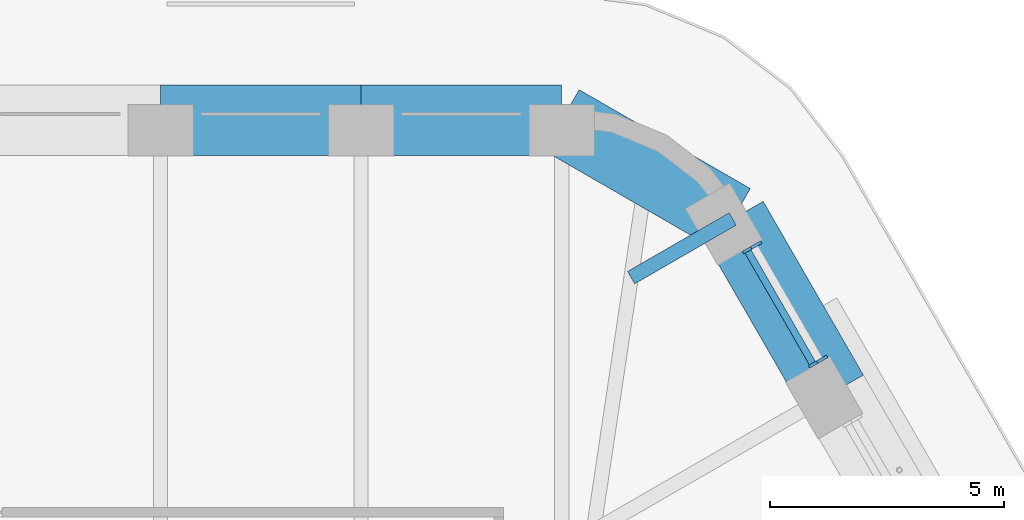
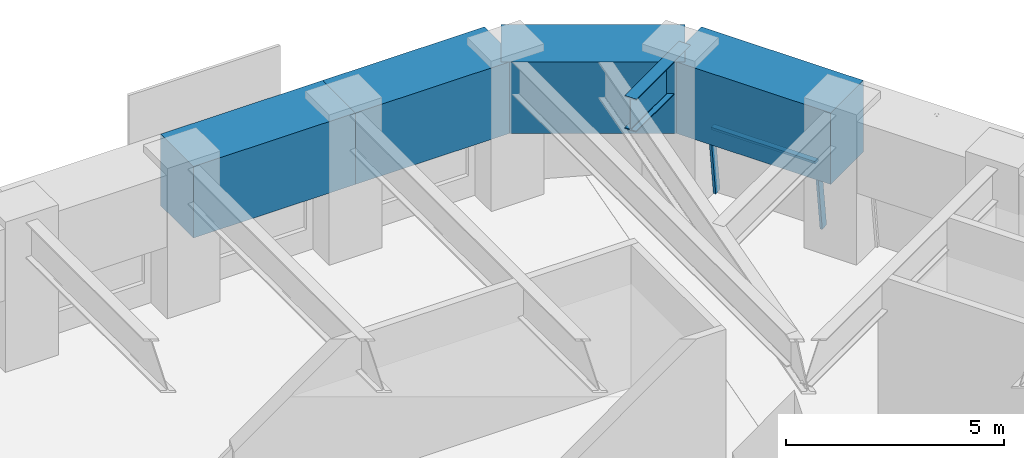
# One storey, part 11 of 18: 5 beams, 3 members, 1 element without a shape of its own.
"""IFC4 building model written with IfcOpenShell, lengths in metres."""

from ifc_helpers import new_model, si_unit, direction, frame, origin, origin_2d, place, context, subcontext, project, spatial, rectangle, i_section, extrude, material, material_profile, profile_set, type_object, element, aggregate, save


model = new_model("IFC4")

# Units and contexts
model_context = context("Model", 3, precision=1e-05, world=origin(), true_north=direction((0.0, 1.0)))
body_context = subcontext(model_context, "Body", "Model", "MODEL_VIEW")
ifc_project = project(units=[si_unit("LENGTHUNIT", "METRE"), si_unit("AREAUNIT", "SQUARE_METRE"), si_unit("VOLUMEUNIT", "CUBIC_METRE"), si_unit("PLANEANGLEUNIT", "RADIAN"), si_unit("MASSUNIT", "GRAM", prefix="KILO")], contexts=[model_context])

# Site, building, storey
site_placement = place(None, origin())
site = spatial("IfcSite", under=ifc_project, at=site_placement, CompositionType="ELEMENT")
building_placement = place(site_placement, origin())
building = spatial("IfcBuilding", under=site, at=building_placement, Name="Tarfa Lantern Tower", CompositionType="ELEMENT")
storey_placement = place(building_placement, frame((0.0, 0.0, 319.89990234375)))
storey = spatial("IfcBuildingStorey", under=building, at=storey_placement, Name="L72", CompositionType="ELEMENT", Elevation=319.89990234375)

# Curtain wall, members
ifc_material_1 = material(Name="Aluminium framed curtain wall", Category="aluminium")
curtain_wall_type = type_object("IfcCurtainWallType", Name="CW4 CANTED GLAZING EXECUTIVE ZONE 2000", PredefinedType="USERDEFINED", material=ifc_material_1)
curtain_wall_placement = place(storey_placement, origin())
curtain_wall = element("IfcCurtainWall", 1, at=curtain_wall_placement, inside=storey, type_object=curtain_wall_type, Name="CW4 NE L72", ObjectType="CURTAIN WALL", PredefinedType="USERDEFINED")
ifc_material_2 = material(Name="Aluminium mullion", Category="aluminium")
ifc_material_profile_1 = material_profile(ifc_material_2, rectangle(XDim=0.06494140625, YDim=0.199951171875, at=origin_2d()), Name="AL MULLION 65x200")
ifc_profile_set_1 = profile_set([ifc_material_profile_1], Name="Aluminium mullion")
member_type_1 = type_object("IfcMemberType", Name="CWM1 MULLION 65x200", PredefinedType="MULLION", material=ifc_profile_set_1)
member_1_placement = place(storey_placement, frame((18.431396484375, 21.3759765625, 0.0), z_axis=(-0.107439978116, -0.062017213975, 0.992275423596), x_axis=(0.499919672301, -0.866071776036, 0.0)))
member_1 = element("IfcMember", 2, at=member_1_placement, type_object=member_type_1, Name="CW4 mullion 1", PredefinedType="MULLION", context=body_context, shape_type="SweptSolid", body=[
    extrude(rectangle(XDim=0.06494140625, YDim=0.199951171875, at=origin_2d()), origin(), (0.0, 0.0, 1.0), 2.015625),
])
member_2_placement = place(storey_placement, frame((17.022705078125, 23.815673828125, 0.0), z_axis=(-0.107320246625, -0.062018020623, 0.992288329964), x_axis=(0.500342721131, -0.865827443207, 0.0)))
member_2 = element("IfcMember", 3, at=member_2_placement, type_object=member_type_1, Name="CW4 mullion 2", PredefinedType="MULLION", context=body_context, shape_type="SweptSolid", body=[
    extrude(rectangle(XDim=0.06494140625, YDim=0.199951171875, at=origin_2d()), origin(), (0.0, 0.0, 1.0), 2.015625),
])
ifc_material_3 = material(Name="Aluminium transom", Category="aluminium")
ifc_material_profile_2 = material_profile(ifc_material_3, rectangle(XDim=0.14990234375, YDim=0.06494140625, at=origin_2d()), Name="AL TRANSOM 150x65")
ifc_profile_set_2 = profile_set([ifc_material_profile_2], Name="Aluminium transom")
member_type_2 = type_object("IfcMemberType", Name="CWT1 TRANSOM 150x65", PredefinedType="USERDEFINED", material=ifc_profile_set_2)
member_3_placement = place(storey_placement, frame((18.2021484375, 21.28125, 1.967529296875), z_axis=(-0.499993790352, 0.866028988896, 0.0), x_axis=(-0.866028988896, -0.499993790352, 0.0)))
member_3 = element("IfcMember", 4, at=member_3_placement, type_object=member_type_2, Name="CW4 transom 1.2", ObjectType="TRANSOM", PredefinedType="USERDEFINED", context=body_context, shape_type="SweptSolid", body=[
    extrude(rectangle(XDim=0.14990234375, YDim=0.06494140625, at=origin_2d()), origin(), (0.0, 0.0, 1.0), 2.751953125),
])
aggregate(curtain_wall, [member_1, member_2, member_3])

# Beams
ifc_material_4 = material(Name="Concrete C80/95", Category="concrete")
ifc_material_profile_3 = material_profile(ifc_material_4, rectangle(XDim=1.5, YDim=2.0, at=origin_2d()), Name="RC 1500x2000")
ifc_profile_set_3 = profile_set([ifc_material_profile_3], Name="Concrete C80/95")
beam_type_1 = type_object("IfcBeamType", Name="RB3 RC 1500x2000", PredefinedType="BEAM", material=ifc_profile_set_3)
beam_1_placement = place(storey_placement, frame((18.6416015625, 20.651611328125, 3.0), z_axis=(-0.499959351497, 0.866048870937, 0.0), x_axis=(-0.866048870937, -0.499959351497, 0.0)))
element("IfcBeam", 5, at=beam_1_placement, inside=storey, type_object=beam_type_1, Name="Edge beam NE5", PredefinedType="BEAM", context=body_context, shape_type="SweptSolid", body=[
    extrude(rectangle(XDim=1.5, YDim=2.0, at=origin_2d()), origin(), (0.0, 0.0, 1.0), 4.281982421875),
])
beam_2_placement = place(storey_placement, frame((16.500732421875, 24.360107421875, 3.0), z_axis=(-0.866048788483, 0.499959494327, 0.0), x_axis=(-0.499959494327, -0.866048788483, 0.0)))
element("IfcBeam", 6, at=beam_2_placement, inside=storey, type_object=beam_type_1, Name="Edge beam NE6", PredefinedType="BEAM", context=body_context, shape_type="SweptSolid", body=[
    extrude(rectangle(XDim=1.5, YDim=2.0, at=origin_2d()), origin(), (0.0, 0.0, 1.0), 4.219970703125),
])
for number, where, z_axis, x_axis, name in (
    (7, (12.845947265625, 26.469970703125, 3.0), (-1.0, 0.0, 0.0), (0.0, -1.0, 0.0), "Edge beam N0"),
    (8, (8.56396484375, 26.469970703125, 3.0), (-1.0, 0.0, 0.0), (0.0, -1.0, 0.0), "Edge beam N1"),
):
    element("IfcBeam", number, at=place(storey_placement, frame(where, z_axis=z_axis, x_axis=x_axis)), inside=storey, type_object=beam_type_1, Name=name, PredefinedType="BEAM", context=body_context, shape_type="SweptSolid", body=[
        extrude(rectangle(XDim=1.5, YDim=2.0, at=origin_2d()), origin(), (0.0, 0.0, 1.0), 4.281982421875),
    ])
ifc_material_5 = material(Name="Steel S460M", Category="steel")
ifc_material_profile_4 = material_profile(ifc_material_5, i_section(OverallWidth=0.305419921875, OverallDepth=0.91845703125, WebThickness=0.017333984375, FlangeThickness=0.02783203125, FilletRadius=0.01904296875, at=origin_2d()), Name="UB914x305x253")
ifc_profile_set_4 = profile_set([ifc_material_profile_4], Name="Steel S460M")
beam_type_2 = type_object("IfcBeamType", Name="UB914x305x253", PredefinedType="BEAM", material=ifc_profile_set_4)
beam_3_placement = place(storey_placement, frame((16.500732421875, 24.360107421875, 3.541015625), z_axis=(-0.865992557167, -0.500056887695, 0.0), x_axis=(0.500056887695, -0.865992557167, 0.0)))
element("IfcBeam", 9, at=beam_3_placement, inside=storey, type_object=beam_type_2, Name="Floor beam NE6", PredefinedType="BEAM", context=body_context, shape_type="SweptSolid", body=[
    extrude(i_section(OverallWidth=0.305419921875, OverallDepth=0.91845703125, WebThickness=0.017333984375, FlangeThickness=0.02783203125, FilletRadius=0.01904296875, at=origin_2d()), origin(), (0.0, 0.0, 1.0), 2.506591796875),
])

save(model, "model.ifc")
